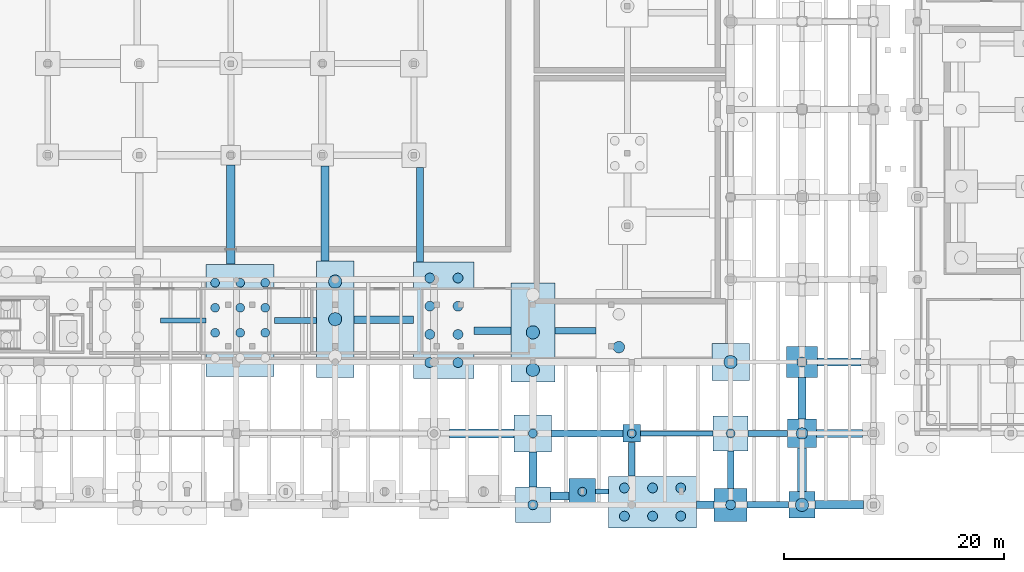
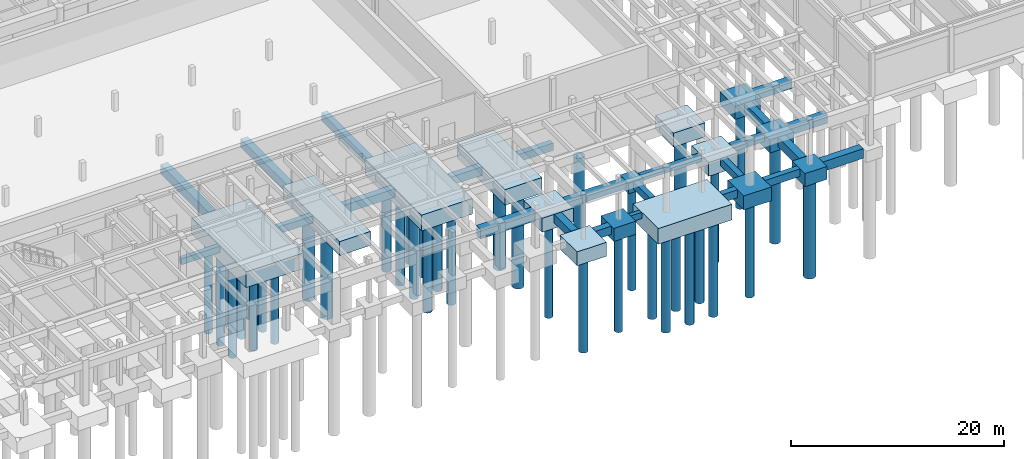
# One storey, part 4 of 36: 39 footings, 38 piles.
"""IFC4 building model written with IfcOpenShell, lengths in metres."""

from ifc_helpers import new_model, si_unit, direction, frame, origin, origin_2d, place, context, subcontext, project, spatial, polyline, circle, outline, extrude, material, material_profile, profile_set, type_object, element, save


model = new_model("IFC4")

# Units and contexts
model_context = context("Model", 3, precision=1e-05, world=origin(), true_north=direction((0.0, 1.0)))
body_context = subcontext(model_context, "Body", "Model", "MODEL_VIEW")
ifc_project = project(units=[si_unit("LENGTHUNIT", "METRE"), si_unit("AREAUNIT", "SQUARE_METRE"), si_unit("VOLUMEUNIT", "CUBIC_METRE"), si_unit("PLANEANGLEUNIT", "RADIAN"), si_unit("MASSUNIT", "GRAM", prefix="KILO"), si_unit("THERMODYNAMICTEMPERATUREUNIT", "KELVIN"), si_unit("POWERUNIT", "WATT")], contexts=[model_context])

# Site, building, storey
site_placement = place(None, origin())
site = spatial("IfcSite", under=ifc_project, at=site_placement, CompositionType="ELEMENT")
building_placement = place(site_placement, origin())
building = spatial("IfcBuilding", under=site, at=building_placement, Name="Tepalcoro Natatorium and Aquatics Centre", CompositionType="ELEMENT")
storey_placement = place(building_placement, frame((0.0, 0.0, -5.199951171875)))
storey = spatial("IfcBuildingStorey", under=building, at=storey_placement, Name="B1", CompositionType="ELEMENT", Elevation=-5.199951171875)

# Footings
ifc_material = material(Name="Concrete C40/50 (fc 40 MPa)", Category="concrete")
footing_type_1 = type_object("IfcFootingType", Name="FB_450x700", PredefinedType="FOOTING_BEAM", material=ifc_material)
footing_1_placement = place(storey_placement, frame((0.0, 0.0, -1.199951171875)))
element("IfcFooting", 1, at=footing_1_placement, inside=storey, type_object=footing_type_1, Name="V1 B1 Foundation Tie Beam X", PredefinedType="FOOTING_BEAM", context=body_context, shape_type="SweptSolid", body=[
    extrude(outline(polyline([(73.10498046875, 16.574951171875), (77.2451171875, 16.574951171875), (77.2451171875, 17.02490234375), (73.10498046875, 17.02490234375), (73.10498046875, 16.574951171875)])), origin(), (0.0, 0.0, 1.0), 0.699951171875),
])
footing_2_placement = place(storey_placement, frame((0.0, 0.0, -0.699951171875)))
element("IfcFooting", 2, at=footing_2_placement, inside=storey, type_object=footing_type_1, Name="V1 B1 Foundation Tie Beam X", PredefinedType="FOOTING_BEAM", context=body_context, shape_type="SweptSolid", body=[
    extrude(outline(polyline([(112.705078125, 0.97509765625), (113.89501953125, 0.97509765625), (113.89501953125, 1.425048828125), (112.705078125, 1.425048828125), (112.705078125, 0.97509765625)])), origin(), (0.0, 0.0, 1.0), 0.699951171875),
])
footing_3_placement = place(storey_placement, frame((0.0, 0.0, -0.699951171875)))
element("IfcFooting", 3, at=footing_3_placement, inside=storey, type_object=footing_type_1, Name="V1 B1 Foundation Tie Beam X", PredefinedType="FOOTING_BEAM", context=body_context, shape_type="SweptSolid", body=[
    extrude(outline(polyline([(116.804931640625, 6.27490234375), (123.39501953125, 6.27490234375), (123.39501953125, 6.72509765625), (116.804931640625, 6.72509765625), (116.804931640625, 6.27490234375)])), origin(), (0.0, 0.0, 1.0), 0.699951171875),
])
footing_type_2 = type_object("IfcFootingType", Name="FB_550x800", PredefinedType="FOOTING_BEAM", material=ifc_material)
footing_4_placement = place(storey_placement, frame((0.0, 0.0, -1.300048828125)))
element("IfcFooting", 4, at=footing_4_placement, inside=storey, type_object=footing_type_2, Name="V1 B1 Foundation Tie Beam X", PredefinedType="FOOTING_BEAM", context=body_context, shape_type="SweptSolid", body=[
    extrude(outline(polyline([(83.455078125, 16.52490234375), (87.294921875, 16.52490234375), (87.294921875, 17.074951171875), (83.455078125, 17.074951171875), (83.455078125, 16.52490234375)])), origin(), (0.0, 0.0, 1.0), 0.800048828125),
])
footing_5_placement = place(storey_placement, frame((0.0, 0.0, -0.800048828125)))
element("IfcFooting", 5, at=footing_5_placement, inside=storey, type_object=footing_type_2, Name="V1 B1 Foundation Tie Beam X", PredefinedType="FOOTING_BEAM", context=body_context, shape_type="SweptSolid", body=[
    extrude(outline(polyline([(126.60498046875, 6.22509765625), (130.195068359375, 6.22509765625), (130.195068359375, 6.77490234375), (126.60498046875, 6.77490234375), (126.60498046875, 6.22509765625)])), origin(), (0.0, 0.0, 1.0), 0.800048828125),
])
footing_type_3 = type_object("IfcFootingType", Name="FB_600x850", PredefinedType="FOOTING_BEAM", material=ifc_material)
footing_6_placement = place(storey_placement, frame((0.0, 0.0, -1.35009765625)))
element("IfcFooting", 6, at=footing_6_placement, inside=storey, type_object=footing_type_3, Name="V1 B1 Foundation Tie Beam X", PredefinedType="FOOTING_BEAM", context=body_context, shape_type="SweptSolid", body=[
    extrude(outline(polyline([(109.0048828125, 15.550048828125), (112.7451171875, 15.550048828125), (112.7451171875, 16.14990234375), (109.0048828125, 16.14990234375), (109.0048828125, 15.550048828125)])), origin(), (0.0, 0.0, 1.0), 0.85009765625),
])
footing_7_placement = place(storey_placement, frame((0.0, 0.0, -0.85009765625)))
element("IfcFooting", 7, at=footing_7_placement, inside=storey, type_object=footing_type_3, Name="V1 B1 Foundation Tie Beam X", PredefinedType="FOOTING_BEAM", context=body_context, shape_type="SweptSolid", body=[
    extrude(outline(polyline([(126.5048828125, -0.300048828125), (130.294921875, -0.300048828125), (130.294921875, 0.300048828125), (126.5048828125, 0.300048828125), (126.5048828125, -0.300048828125)])), origin(), (0.0, 0.0, 1.0), 0.85009765625),
])
footing_8_placement = place(storey_placement, frame((0.0, 0.0, -0.85009765625)))
element("IfcFooting", 8, at=footing_8_placement, inside=storey, type_object=footing_type_3, Name="V1 B1 Foundation Tie Beam Y", PredefinedType="FOOTING_BEAM", context=body_context, shape_type="SweptSolid", body=[
    extrude(outline(polyline([(116.300048828125, 2.60498046875), (116.300048828125, 5.695068359375), (115.699951171875, 5.695068359375), (115.699951171875, 2.60498046875), (116.300048828125, 2.60498046875)])), origin(), (0.0, 0.0, 1.0), 0.85009765625),
])
footing_9_placement = place(storey_placement, frame((0.0, 0.0, -0.85009765625)))
element("IfcFooting", 9, at=footing_9_placement, inside=storey, type_object=footing_type_3, Name="V1 B1 Foundation Tie Beam Y", PredefinedType="FOOTING_BEAM", context=body_context, shape_type="SweptSolid", body=[
    extrude(outline(polyline([(125.300048828125, 1.5048828125), (125.300048828125, 4.89501953125), (124.699951171875, 4.89501953125), (124.699951171875, 1.5048828125), (125.300048828125, 1.5048828125)])), origin(), (0.0, 0.0, 1.0), 0.85009765625),
])
footing_type_4 = type_object("IfcFootingType", Name="FB_650x900", PredefinedType="FOOTING_BEAM", material=ifc_material)
footing_10_placement = place(storey_placement, frame((0.0, 0.0, -0.900146484375)))
element("IfcFooting", 10, at=footing_10_placement, inside=storey, type_object=footing_type_4, Name="V1 B1 Foundation Tie Beam X", PredefinedType="FOOTING_BEAM", context=body_context, shape_type="SweptSolid", body=[
    extrude(outline(polyline([(108.705078125, 6.175048828125), (115.195068359375, 6.175048828125), (115.195068359375, 6.824951171875), (108.705078125, 6.824951171875), (108.705078125, 6.175048828125)])), origin(), (0.0, 0.0, 1.0), 0.900146484375),
])
footing_11_placement = place(storey_placement, frame((0.0, 0.0, -0.900146484375)))
element("IfcFooting", 11, at=footing_11_placement, inside=storey, type_object=footing_type_4, Name="V1 B1 Foundation Tie Beam X", PredefinedType="FOOTING_BEAM", context=body_context, shape_type="SweptSolid", body=[
    extrude(outline(polyline([(121.905029296875, -0.324951171875), (123.4951171875, -0.324951171875), (123.4951171875, 0.324951171875), (121.905029296875, 0.324951171875), (121.905029296875, -0.324951171875)])), origin(), (0.0, 0.0, 1.0), 0.900146484375),
])
footing_12_placement = place(storey_placement, frame((0.0, 0.0, -1.400146484375)))
element("IfcFooting", 12, at=footing_12_placement, inside=storey, type_object=footing_type_4, Name="V1 B1 Foundation Tie Beam Y", PredefinedType="FOOTING_BEAM", context=body_context, shape_type="SweptSolid", body=[
    extrude(outline(polyline([(97.033447265625, 22.10498046875), (97.033447265625, 30.72802734375), (96.383544921875, 30.72802734375), (96.383544921875, 22.10498046875), (97.033447265625, 22.10498046875)])), origin(), (0.0, 0.0, 1.0), 0.900146484375),
])
footing_type_5 = type_object("IfcFootingType", Name="FB_700x950", PredefinedType="FOOTING_BEAM", material=ifc_material)
footing_13_placement = place(storey_placement, frame((0.0, 0.0, -1.449951171875)))
element("IfcFooting", 13, at=footing_13_placement, inside=storey, type_object=footing_type_5, Name="V1 B1 Foundation Tie Beam X", PredefinedType="FOOTING_BEAM", context=body_context, shape_type="SweptSolid", body=[
    extrude(outline(polyline([(90.705078125, 16.5), (96.14501953125, 16.5), (96.14501953125, 17.199951171875), (90.705078125, 17.199951171875), (90.705078125, 16.5)])), origin(), (0.0, 0.0, 1.0), 0.949951171875),
])
footing_14_placement = place(storey_placement, frame((0.0, 0.0, -1.449951171875)))
element("IfcFooting", 14, at=footing_14_placement, inside=storey, type_object=footing_type_5, Name="V1 B1 Foundation Tie Beam X", PredefinedType="FOOTING_BEAM", context=body_context, shape_type="SweptSolid", body=[
    extrude(outline(polyline([(101.655029296875, 15.5), (104.9951171875, 15.5), (104.9951171875, 16.199951171875), (101.655029296875, 16.199951171875), (101.655029296875, 15.5)])), origin(), (0.0, 0.0, 1.0), 0.949951171875),
])
footing_15_placement = place(storey_placement, frame((0.0, 0.0, -0.949951171875)))
element("IfcFooting", 15, at=footing_15_placement, inside=storey, type_object=footing_type_5, Name="V1 B1 Foundation Tie Beam X", PredefinedType="FOOTING_BEAM", context=body_context, shape_type="SweptSolid", body=[
    extrude(outline(polyline([(108.60498046875, 0.449951171875), (110.294921875, 0.449951171875), (110.294921875, 1.14990234375), (108.60498046875, 1.14990234375), (108.60498046875, 0.449951171875)])), origin(), (0.0, 0.0, 1.0), 0.949951171875),
])
footing_16_placement = place(storey_placement, frame((0.0, 0.0, -0.949951171875)))
element("IfcFooting", 16, at=footing_16_placement, inside=storey, type_object=footing_type_5, Name="V1 B1 Foundation Tie Beam X", PredefinedType="FOOTING_BEAM", context=body_context, shape_type="SweptSolid", body=[
    extrude(outline(polyline([(132.905029296875, 12.64990234375), (136.89501953125, 12.64990234375), (136.89501953125, 13.35009765625), (132.905029296875, 13.35009765625), (132.905029296875, 12.64990234375)])), origin(), (0.0, 0.0, 1.0), 0.949951171875),
])
footing_type_6 = type_object("IfcFootingType", Name="FB_750x1000", PredefinedType="FOOTING_BEAM", material=ifc_material)
footing_17_placement = place(storey_placement, frame((0.0, 0.0, -1.0)))
element("IfcFooting", 17, at=footing_17_placement, inside=storey, type_object=footing_type_6, Name="V1 B1 Foundation Tie Beam X", PredefinedType="FOOTING_BEAM", context=body_context, shape_type="SweptSolid", body=[
    extrude(outline(polyline([(132.804931640625, 6.125), (136.9951171875, 6.125), (136.9951171875, 6.875), (132.804931640625, 6.875), (132.804931640625, 6.125)])), origin(), (0.0, 0.0, 1.0), 1.0),
])
footing_18_placement = place(storey_placement, frame((0.0, 0.0, -1.5)))
element("IfcFooting", 18, at=footing_18_placement, inside=storey, type_object=footing_type_6, Name="V1 B1 Foundation Tie Beam Y", PredefinedType="FOOTING_BEAM", context=body_context, shape_type="SweptSolid", body=[
    extrude(outline(polyline([(88.44140625, 22.205078125), (88.44140625, 30.827880859375), (87.69140625, 30.827880859375), (87.69140625, 22.205078125), (88.44140625, 22.205078125)])), origin(), (0.0, 0.0, 1.0), 1.0),
])
footing_19_placement = place(storey_placement, frame((0.0, 0.0, -1.0)))
element("IfcFooting", 19, at=footing_19_placement, inside=storey, type_object=footing_type_6, Name="V1 B1 Foundation Tie Beam Y", PredefinedType="FOOTING_BEAM", context=body_context, shape_type="SweptSolid", body=[
    extrude(outline(polyline([(107.375, 1.60498046875), (107.375, 4.794921875), (106.625, 4.794921875), (106.625, 1.60498046875), (107.375, 1.60498046875)])), origin(), (0.0, 0.0, 1.0), 1.0),
])
footing_20_placement = place(storey_placement, frame((0.0, 0.0, -1.0)))
element("IfcFooting", 20, at=footing_20_placement, inside=storey, type_object=footing_type_6, Name="V1 B1 Foundation Tie Beam Y", PredefinedType="FOOTING_BEAM", context=body_context, shape_type="SweptSolid", body=[
    extrude(outline(polyline([(131.875, 7.804931640625), (131.875, 11.594970703125), (131.125, 11.594970703125), (131.125, 7.804931640625), (131.875, 7.804931640625)])), origin(), (0.0, 0.0, 1.0), 1.0),
])
footing_type_7 = type_object("IfcFootingType", Name="FB_800x1100", PredefinedType="FOOTING_BEAM", material=ifc_material)
footing_21_placement = place(storey_placement, frame((0.0, 0.0, -1.10009765625)))
element("IfcFooting", 21, at=footing_21_placement, inside=storey, type_object=footing_type_7, Name="V1 B1 Foundation Tie Beam X", PredefinedType="FOOTING_BEAM", context=body_context, shape_type="SweptSolid", body=[
    extrude(outline(polyline([(99.405029296875, 6.10009765625), (105.294921875, 6.10009765625), (105.294921875, 6.89990234375), (99.405029296875, 6.89990234375), (99.405029296875, 6.10009765625)])), origin(), (0.0, 0.0, 1.0), 1.10009765625),
])
footing_22_placement = place(storey_placement, frame((0.0, 0.0, -1.10009765625)))
element("IfcFooting", 22, at=footing_22_placement, inside=storey, type_object=footing_type_7, Name="V1 B1 Foundation Tie Beam X", PredefinedType="FOOTING_BEAM", context=body_context, shape_type="SweptSolid", body=[
    extrude(outline(polyline([(132.705078125, -0.39990234375), (137.094970703125, -0.39990234375), (137.094970703125, 0.39990234375), (132.705078125, 0.39990234375), (132.705078125, -0.39990234375)])), origin(), (0.0, 0.0, 1.0), 1.10009765625),
])
footing_23_placement = place(storey_placement, frame((0.0, 0.0, -1.60009765625)))
element("IfcFooting", 23, at=footing_23_placement, inside=storey, type_object=footing_type_7, Name="V1 B1 Foundation Tie Beam Y", PredefinedType="FOOTING_BEAM", context=body_context, shape_type="SweptSolid", body=[
    extrude(outline(polyline([(79.89990234375, 21.905029296875), (79.89990234375, 30.927978515625), (79.10009765625, 30.927978515625), (79.10009765625, 21.905029296875), (79.89990234375, 21.905029296875)])), origin(), (0.0, 0.0, 1.0), 1.10009765625),
])
footing_24_placement = place(storey_placement, frame((0.0, 0.0, -1.10009765625)))
element("IfcFooting", 24, at=footing_24_placement, inside=storey, type_object=footing_type_7, Name="V1 B1 Foundation Tie Beam Y", PredefinedType="FOOTING_BEAM", context=body_context, shape_type="SweptSolid", body=[
    extrude(outline(polyline([(131.89990234375, 1.205078125), (131.89990234375, 5.195068359375), (131.10009765625, 5.195068359375), (131.10009765625, 1.205078125), (131.89990234375, 1.205078125)])), origin(), (0.0, 0.0, 1.0), 1.10009765625),
])
footing_type_8 = type_object("IfcFootingType", Name="PC_1600x1600x1200", PredefinedType="PILE_CAP", material=ifc_material)
footing_25_placement = place(storey_placement, frame((0.0, 0.0, -1.199951171875)))
element("IfcFooting", 25, at=footing_25_placement, inside=storey, type_object=footing_type_8, Name="V1 Reinforced Concrete Pile Cap 94", PredefinedType="PILE_CAP", context=body_context, shape_type="SweptSolid", body=[
    extrude(outline(polyline([(115.199951171875, 5.699951171875), (116.800048828125, 5.699951171875), (116.800048828125, 7.300048828125), (115.199951171875, 7.300048828125), (115.199951171875, 5.699951171875)])), origin(), (0.0, 0.0, 1.0), 1.199951171875),
])
footing_type_9 = type_object("IfcFootingType", Name="PC_2400x2400x1500", PredefinedType="PILE_CAP", material=ifc_material)
footing_26_placement = place(storey_placement, frame((0.0, 0.0, -1.5)))
element("IfcFooting", 26, at=footing_26_placement, inside=storey, type_object=footing_type_9, Name="V1 Reinforced Concrete Pile Cap 85", PredefinedType="PILE_CAP", context=body_context, shape_type="SweptSolid", body=[
    extrude(outline(polyline([(110.300048828125, 0.0), (112.699951171875, 0.0), (112.699951171875, 2.39990234375), (110.300048828125, 2.39990234375), (110.300048828125, 0.0)])), origin(), (0.0, 0.0, 1.0), 1.5),
])
footing_27_placement = place(storey_placement, frame((0.0, 0.0, -1.5)))
element("IfcFooting", 27, at=footing_27_placement, inside=storey, type_object=footing_type_9, Name="V1 Reinforced Concrete Pile Cap 116", PredefinedType="PILE_CAP", context=body_context, shape_type="SweptSolid", body=[
    extrude(outline(polyline([(130.300048828125, -1.199951171875), (132.699951171875, -1.199951171875), (132.699951171875, 1.199951171875), (130.300048828125, 1.199951171875), (130.300048828125, -1.199951171875)])), origin(), (0.0, 0.0, 1.0), 1.5),
])
footing_type_10 = type_object("IfcFootingType", Name="PC_2600x2600x1500", PredefinedType="PILE_CAP", material=ifc_material)
footing_28_placement = place(storey_placement, frame((0.0, 0.0, -1.5)))
element("IfcFooting", 28, at=footing_28_placement, inside=storey, type_object=footing_type_10, Name="V1 Reinforced Concrete Pile Cap 115", PredefinedType="PILE_CAP", context=body_context, shape_type="SweptSolid", body=[
    extrude(outline(polyline([(130.199951171875, 5.199951171875), (132.800048828125, 5.199951171875), (132.800048828125, 7.800048828125), (130.199951171875, 7.800048828125), (130.199951171875, 5.199951171875)])), origin(), (0.0, 0.0, 1.0), 1.5),
])
footing_type_11 = type_object("IfcFootingType", Name="PC_2800x2800x1500", PredefinedType="PILE_CAP", material=ifc_material)
footing_29_placement = place(storey_placement, frame((0.0, 0.0, -1.5)))
element("IfcFooting", 29, at=footing_29_placement, inside=storey, type_object=footing_type_11, Name="V1 Reinforced Concrete Pile Cap 114", PredefinedType="PILE_CAP", context=body_context, shape_type="SweptSolid", body=[
    extrude(outline(polyline([(130.10009765625, 11.60009765625), (132.89990234375, 11.60009765625), (132.89990234375, 14.39990234375), (130.10009765625, 14.39990234375), (130.10009765625, 11.60009765625)])), origin(), (0.0, 0.0, 1.0), 1.5),
])
footing_type_12 = type_object("IfcFootingType", Name="PC_3000x3000x1600", PredefinedType="PILE_CAP", material=ifc_material)
footing_30_placement = place(storey_placement, frame((0.0, 0.0, -2.10009765625)))
element("IfcFooting", 30, at=footing_30_placement, inside=storey, type_object=footing_type_12, Name="V1 Reinforced Concrete Pile Cap 64", PredefinedType="PILE_CAP", context=body_context, shape_type="SweptSolid", body=[
    extrude(outline(polyline([(87.300048828125, 11.60009765625), (90.699951171875, 11.60009765625), (90.699951171875, 22.199951171875), (87.300048828125, 22.199951171875), (87.300048828125, 11.60009765625)])), origin(), (0.0, 0.0, 1.0), 1.60009765625),
])
footing_31_placement = place(storey_placement, frame((0.0, 0.0, -1.60009765625)))
element("IfcFooting", 31, at=footing_31_placement, inside=storey, type_object=footing_type_12, Name="V1 Reinforced Concrete Pile Cap 102", PredefinedType="PILE_CAP", context=body_context, shape_type="SweptSolid", body=[
    extrude(outline(polyline([(123.5, -1.5), (126.5, -1.5), (126.5, 1.5), (123.5, 1.5), (123.5, -1.5)])), origin(), (0.0, 0.0, 1.0), 1.60009765625),
])
footing_type_13 = type_object("IfcFootingType", Name="PC_3200x3200x1600", PredefinedType="PILE_CAP", material=ifc_material)
footing_32_placement = place(storey_placement, frame((0.0, 0.0, -1.60009765625)))
element("IfcFooting", 32, at=footing_32_placement, inside=storey, type_object=footing_type_13, Name="V1 Reinforced Concrete Pile Cap 82", PredefinedType="PILE_CAP", context=body_context, shape_type="SweptSolid", body=[
    extrude(outline(polyline([(105.39990234375, -1.60009765625), (108.60009765625, -1.60009765625), (108.60009765625, 1.60009765625), (105.39990234375, 1.60009765625), (105.39990234375, -1.60009765625)])), origin(), (0.0, 0.0, 1.0), 1.60009765625),
])
footing_33_placement = place(storey_placement, frame((0.0, 0.0, -1.60009765625)))
element("IfcFooting", 33, at=footing_33_placement, inside=storey, type_object=footing_type_13, Name="V1 Reinforced Concrete Pile Cap 101", PredefinedType="PILE_CAP", context=body_context, shape_type="SweptSolid", body=[
    extrude(outline(polyline([(123.39990234375, 4.89990234375), (126.60009765625, 4.89990234375), (126.60009765625, 8.10009765625), (123.39990234375, 8.10009765625), (123.39990234375, 4.89990234375)])), origin(), (0.0, 0.0, 1.0), 1.60009765625),
])
footing_type_14 = type_object("IfcFootingType", Name="PC_3400x3400x1600", PredefinedType="PILE_CAP", material=ifc_material)
footing_34_placement = place(storey_placement, frame((0.0, 0.0, -1.60009765625)))
element("IfcFooting", 34, at=footing_34_placement, inside=storey, type_object=footing_type_14, Name="V1 Reinforced Concrete Pile Cap 81", PredefinedType="PILE_CAP", context=body_context, shape_type="SweptSolid", body=[
    extrude(outline(polyline([(105.300048828125, 4.800048828125), (108.699951171875, 4.800048828125), (108.699951171875, 8.199951171875), (105.300048828125, 8.199951171875), (105.300048828125, 4.800048828125)])), origin(), (0.0, 0.0, 1.0), 1.60009765625),
])
footing_35_placement = place(storey_placement, frame((0.0, 0.0, -2.10009765625)))
element("IfcFooting", 35, at=footing_35_placement, inside=storey, type_object=footing_type_14, Name="V1 Reinforced Concrete Pile Cap 100", PredefinedType="PILE_CAP", context=body_context, shape_type="SweptSolid", body=[
    extrude(outline(polyline([(123.300048828125, 11.300048828125), (126.699951171875, 11.300048828125), (126.699951171875, 14.699951171875), (123.300048828125, 14.699951171875), (123.300048828125, 11.300048828125)])), origin(), (0.0, 0.0, 1.0), 1.60009765625),
])
footing_type_15 = type_object("IfcFootingType", Name="PC_4000x4000x1800", PredefinedType="PILE_CAP", material=ifc_material)
footing_36_placement = place(storey_placement, frame((0.0, 0.0, -2.300048828125)))
element("IfcFooting", 36, at=footing_36_placement, inside=storey, type_object=footing_type_15, Name="V1 Reinforced Concrete Pile Cap 53", PredefinedType="PILE_CAP", context=body_context, shape_type="SweptSolid", body=[
    extrude(outline(polyline([(77.25, 11.699951171875), (83.449951171875, 11.699951171875), (83.449951171875, 21.89990234375), (77.25, 21.89990234375), (77.25, 11.699951171875)])), origin(), (0.0, 0.0, 1.0), 1.800048828125),
])
footing_37_placement = place(storey_placement, frame((0.0, 0.0, -2.300048828125)))
element("IfcFooting", 37, at=footing_37_placement, inside=storey, type_object=footing_type_15, Name="V1 Reinforced Concrete Pile Cap 80", PredefinedType="PILE_CAP", context=body_context, shape_type="SweptSolid", body=[
    extrude(outline(polyline([(105.0, 11.199951171875), (109.0, 11.199951171875), (109.0, 20.199951171875), (105.0, 20.199951171875), (105.0, 11.199951171875)])), origin(), (0.0, 0.0, 1.0), 1.800048828125),
])
footing_type_16 = type_object("IfcFootingType", Name="PC_4200x4200x1800", PredefinedType="PILE_CAP", material=ifc_material)
footing_38_placement = place(storey_placement, frame((0.0, 0.0, -2.300048828125)))
element("IfcFooting", 38, at=footing_38_placement, inside=storey, type_object=footing_type_16, Name="V1 Reinforced Concrete Pile Cap 74", PredefinedType="PILE_CAP", context=body_context, shape_type="SweptSolid", body=[
    extrude(outline(polyline([(96.14990234375, 11.5), (101.64990234375, 11.5), (101.64990234375, 22.10009765625), (96.14990234375, 22.10009765625), (96.14990234375, 11.5)])), origin(), (0.0, 0.0, 1.0), 1.800048828125),
])
footing_39_placement = place(storey_placement, frame((0.0, 0.0, -1.800048828125)))
element("IfcFooting", 39, at=footing_39_placement, inside=storey, type_object=footing_type_16, Name="V1 Reinforced Concrete Pile Cap 90", PredefinedType="PILE_CAP", context=body_context, shape_type="SweptSolid", body=[
    extrude(outline(polyline([(113.89990234375, -2.10009765625), (121.89990234375, -2.10009765625), (121.89990234375, 2.60009765625), (113.89990234375, 2.60009765625), (113.89990234375, -2.10009765625)])), origin(), (0.0, 0.0, 1.0), 1.800048828125),
])

# Piles
ifc_material_profile_1 = material_profile(ifc_material, circle(Radius=0.52490234375, at=origin_2d()), Name="PILE_D1050")
ifc_profile_set_1 = profile_set([ifc_material_profile_1], Name="Concrete C40/50 (fc 40 MPa)")
pile_type_1 = type_object("IfcPileType", Name="PILE_D1050", PredefinedType="BORED", material=ifc_profile_set_1)
pile_1_placement = place(storey_placement, frame((114.824951171875, 14.353759765625, -1.900146484375), z_axis=(0.0, 0.0, -1.0), x_axis=(1.0, 0.0, 0.0)))
element("IfcPile", 40, at=pile_1_placement, inside=storey, type_object=pile_type_1, Name="Bored Pile PILE_D1050 under PC_V1_0086", PredefinedType="BORED", context=body_context, shape_type="SweptSolid", body=[
    extrude(circle(Radius=0.52490234375, at=origin_2d()), origin(), (0.0, 0.0, 1.0), 10.89990234375),
])
pile_2_placement = place(storey_placement, frame((131.5, 6.5, -1.400146484375), z_axis=(0.0, 0.0, -1.0), x_axis=(1.0, 0.0, 0.0)))
element("IfcPile", 41, at=pile_2_placement, inside=storey, type_object=pile_type_1, Name="Bored Pile PILE_D1050 under PC_V1_0114", PredefinedType="BORED", context=body_context, shape_type="SweptSolid", body=[
    extrude(circle(Radius=0.52490234375, at=origin_2d()), origin(), (0.0, 0.0, 1.0), 11.39990234375),
])
ifc_material_profile_2 = material_profile(ifc_material, circle(Radius=0.60009765625, at=origin_2d()), Name="PILE_D1200")
ifc_profile_set_2 = profile_set([ifc_material_profile_2], Name="Concrete C40/50 (fc 40 MPa)")
pile_type_2 = type_object("IfcPileType", Name="PILE_D1200", PredefinedType="BORED", material=ifc_profile_set_2)
for number, where, z_axis, x_axis, name in (
    (42, (89.0, 16.89990234375, -2.0), (0.0, 0.0, -1.0), (1.0, 0.0, 0.0), "Bored Pile PILE_D1200 under PC_V1_0063"),
    (43, (89.0, 20.320068359375, -2.0), (0.0, 0.0, -1.0), (1.0, 0.0, 0.0), "Bored Pile PILE_D1200 under PC_V1_0063"),
):
    element("IfcPile", number, at=place(storey_placement, frame(where, z_axis=z_axis, x_axis=x_axis)), inside=storey, type_object=pile_type_2, Name=name, PredefinedType="BORED", context=body_context, shape_type="SweptSolid", body=[
        extrude(circle(Radius=0.60009765625, at=origin_2d()), origin(), (0.0, 0.0, 1.0), 10.800048828125),
    ])
for number, where, z_axis, x_axis, name in (
    (44, (107.0, 12.280029296875, -2.199951171875), (0.0, 0.0, -1.0), (1.0, 0.0, 0.0), "Bored Pile PILE_D1200 under PC_V1_0079"),
    (45, (107.0, 15.699951171875, -2.199951171875), (0.0, 0.0, -1.0), (1.0, 0.0, 0.0), "Bored Pile PILE_D1200 under PC_V1_0079"),
):
    element("IfcPile", number, at=place(storey_placement, frame(where, z_axis=z_axis, x_axis=x_axis)), inside=storey, type_object=pile_type_2, Name=name, PredefinedType="BORED", context=body_context, shape_type="SweptSolid", body=[
        extrude(circle(Radius=0.60009765625, at=origin_2d()), origin(), (0.0, 0.0, 1.0), 10.60009765625),
    ])
pile_3_placement = place(storey_placement, frame((125.0, 13.0, -2.0), z_axis=(0.0, 0.0, -1.0), x_axis=(1.0, 0.0, 0.0)))
element("IfcPile", 46, at=pile_3_placement, inside=storey, type_object=pile_type_2, Name="Bored Pile PILE_D1200 under PC_V1_0099", PredefinedType="BORED", context=body_context, shape_type="SweptSolid", body=[
    extrude(circle(Radius=0.60009765625, at=origin_2d()), origin(), (0.0, 0.0, 1.0), 10.800048828125),
])
pile_4_placement = place(storey_placement, frame((131.5, 0.0, -1.400146484375), z_axis=(0.0, 0.0, -1.0), x_axis=(1.0, 0.0, 0.0)))
element("IfcPile", 47, at=pile_4_placement, inside=storey, type_object=pile_type_2, Name="Bored Pile PILE_D1200 under PC_V1_0115", PredefinedType="BORED", context=body_context, shape_type="SweptSolid", body=[
    extrude(circle(Radius=0.60009765625, at=origin_2d()), origin(), (0.0, 0.0, 1.0), 11.39990234375),
])
ifc_material_profile_3 = material_profile(ifc_material, circle(Radius=0.39990234375, at=origin_2d()), Name="PILE_D800")
ifc_profile_set_3 = profile_set([ifc_material_profile_3], Name="Concrete C40/50 (fc 40 MPa)")
pile_type_3 = type_object("IfcPileType", Name="PILE_D800", PredefinedType="BORED", material=ifc_profile_set_3)
for number, where, z_axis, x_axis, name in (
    (48, (78.070068359375, 15.659912109375, -2.199951171875), (0.0, 0.0, -1.0), (1.0, 0.0, 0.0), "Bored Pile PILE_D800 under PC_V1_0052"),
    (49, (78.070068359375, 17.93994140625, -2.199951171875), (0.0, 0.0, -1.0), (1.0, 0.0, 0.0), "Bored Pile PILE_D800 under PC_V1_0052"),
    (50, (78.070068359375, 20.219970703125, -2.199951171875), (0.0, 0.0, -1.0), (1.0, 0.0, 0.0), "Bored Pile PILE_D800 under PC_V1_0052"),
    (51, (80.35009765625, 15.659912109375, -2.199951171875), (0.0, 0.0, -1.0), (1.0, 0.0, 0.0), "Bored Pile PILE_D800 under PC_V1_0052"),
    (52, (80.35009765625, 17.93994140625, -2.199951171875), (0.0, 0.0, -1.0), (1.0, 0.0, 0.0), "Bored Pile PILE_D800 under PC_V1_0052"),
    (53, (80.35009765625, 20.219970703125, -2.199951171875), (0.0, 0.0, -1.0), (1.0, 0.0, 0.0), "Bored Pile PILE_D800 under PC_V1_0052"),
    (54, (82.6298828125, 15.659912109375, -2.199951171875), (0.0, 0.0, -1.0), (1.0, 0.0, 0.0), "Bored Pile PILE_D800 under PC_V1_0052"),
    (55, (82.6298828125, 17.93994140625, -2.199951171875), (0.0, 0.0, -1.0), (1.0, 0.0, 0.0), "Bored Pile PILE_D800 under PC_V1_0052"),
    (56, (82.6298828125, 20.219970703125, -2.199951171875), (0.0, 0.0, -1.0), (1.0, 0.0, 0.0), "Bored Pile PILE_D800 under PC_V1_0052"),
):
    element("IfcPile", number, at=place(storey_placement, frame(where, z_axis=z_axis, x_axis=x_axis)), inside=storey, type_object=pile_type_3, Name=name, PredefinedType="BORED", context=body_context, shape_type="SweptSolid", body=[
        extrude(circle(Radius=0.39990234375, at=origin_2d()), origin(), (0.0, 0.0, 1.0), 10.60009765625),
    ])
pile_5_placement = place(storey_placement, frame((107.0, 6.5, -1.5), z_axis=(0.0, 0.0, -1.0), x_axis=(1.0, 0.0, 0.0)))
element("IfcPile", 57, at=pile_5_placement, inside=storey, type_object=pile_type_3, Name="Bored Pile PILE_D800 under PC_V1_0080", PredefinedType="BORED", context=body_context, shape_type="SweptSolid", body=[
    extrude(circle(Radius=0.39990234375, at=origin_2d()), origin(), (0.0, 0.0, 1.0), 11.300048828125),
])
pile_6_placement = place(storey_placement, frame((111.5, 1.199951171875, -1.400146484375), z_axis=(0.0, 0.0, -1.0), x_axis=(1.0, 0.0, 0.0)))
element("IfcPile", 58, at=pile_6_placement, inside=storey, type_object=pile_type_3, Name="Bored Pile PILE_D800 under PC_V1_0084", PredefinedType="BORED", context=body_context, shape_type="SweptSolid", body=[
    extrude(circle(Radius=0.39990234375, at=origin_2d()), origin(), (0.0, 0.0, 1.0), 11.39990234375),
])
pile_7_placement = place(storey_placement, frame((116.0, 6.5, -1.10009765625), z_axis=(0.0, 0.0, -1.0), x_axis=(1.0, 0.0, 0.0)))
element("IfcPile", 59, at=pile_7_placement, inside=storey, type_object=pile_type_3, Name="Bored Pile PILE_D800 under PC_V1_0093", PredefinedType="BORED", context=body_context, shape_type="SweptSolid", body=[
    extrude(circle(Radius=0.39990234375, at=origin_2d()), origin(), (0.0, 0.0, 1.0), 11.699951171875),
])
pile_8_placement = place(storey_placement, frame((125.0, 6.5, -1.5), z_axis=(0.0, 0.0, -1.0), x_axis=(1.0, 0.0, 0.0)))
element("IfcPile", 60, at=pile_8_placement, inside=storey, type_object=pile_type_3, Name="Bored Pile PILE_D800 under PC_V1_0100", PredefinedType="BORED", context=body_context, shape_type="SweptSolid", body=[
    extrude(circle(Radius=0.39990234375, at=origin_2d()), origin(), (0.0, 0.0, 1.0), 11.300048828125),
])
ifc_material_profile_4 = material_profile(ifc_material, circle(Radius=0.449951171875, at=origin_2d()), Name="PILE_D900")
ifc_profile_set_4 = profile_set([ifc_material_profile_4], Name="Concrete C40/50 (fc 40 MPa)")
pile_type_4 = type_object("IfcPileType", Name="PILE_D900", PredefinedType="BORED", material=ifc_profile_set_4)
for number, where, z_axis, x_axis, name in (
    (61, (97.617431640625, 12.952392578125, -2.199951171875), (0.0, 0.0, -1.0), (1.0, 0.0, 0.0), "Bored Pile PILE_D900 under PC_V1_0073"),
    (62, (97.617431640625, 15.517578125, -2.199951171875), (0.0, 0.0, -1.0), (1.0, 0.0, 0.0), "Bored Pile PILE_D900 under PC_V1_0073"),
    (63, (97.617431640625, 18.08251953125, -2.199951171875), (0.0, 0.0, -1.0), (1.0, 0.0, 0.0), "Bored Pile PILE_D900 under PC_V1_0073"),
    (64, (97.617431640625, 20.6474609375, -2.199951171875), (0.0, 0.0, -1.0), (1.0, 0.0, 0.0), "Bored Pile PILE_D900 under PC_V1_0073"),
    (65, (100.1826171875, 12.952392578125, -2.199951171875), (0.0, 0.0, -1.0), (1.0, 0.0, 0.0), "Bored Pile PILE_D900 under PC_V1_0073"),
    (66, (100.1826171875, 15.517578125, -2.199951171875), (0.0, 0.0, -1.0), (1.0, 0.0, 0.0), "Bored Pile PILE_D900 under PC_V1_0073"),
    (67, (100.1826171875, 18.08251953125, -2.199951171875), (0.0, 0.0, -1.0), (1.0, 0.0, 0.0), "Bored Pile PILE_D900 under PC_V1_0073"),
    (68, (100.1826171875, 20.6474609375, -2.199951171875), (0.0, 0.0, -1.0), (1.0, 0.0, 0.0), "Bored Pile PILE_D900 under PC_V1_0073"),
):
    element("IfcPile", number, at=place(storey_placement, frame(where, z_axis=z_axis, x_axis=x_axis)), inside=storey, type_object=pile_type_4, Name=name, PredefinedType="BORED", context=body_context, shape_type="SweptSolid", body=[
        extrude(circle(Radius=0.449951171875, at=origin_2d()), origin(), (0.0, 0.0, 1.0), 10.60009765625),
    ])
pile_9_placement = place(storey_placement, frame((107.0, 0.0, -1.5), z_axis=(0.0, 0.0, -1.0), x_axis=(1.0, 0.0, 0.0)))
element("IfcPile", 69, at=pile_9_placement, inside=storey, type_object=pile_type_4, Name="Bored Pile PILE_D900 under PC_V1_0081", PredefinedType="BORED", context=body_context, shape_type="SweptSolid", body=[
    extrude(circle(Radius=0.449951171875, at=origin_2d()), origin(), (0.0, 0.0, 1.0), 11.300048828125),
])
for number, where, z_axis, x_axis, name in (
    (70, (115.3349609375, -1.032470703125, -1.699951171875), (0.0, 0.0, -1.0), (1.0, 0.0, 0.0), "Bored Pile PILE_D900 under PC_V1_0089"),
    (71, (115.3349609375, 1.532470703125, -1.699951171875), (0.0, 0.0, -1.0), (1.0, 0.0, 0.0), "Bored Pile PILE_D900 under PC_V1_0089"),
    (72, (117.89990234375, -1.032470703125, -1.699951171875), (0.0, 0.0, -1.0), (1.0, 0.0, 0.0), "Bored Pile PILE_D900 under PC_V1_0089"),
    (73, (117.89990234375, 1.532470703125, -1.699951171875), (0.0, 0.0, -1.0), (1.0, 0.0, 0.0), "Bored Pile PILE_D900 under PC_V1_0089"),
    (74, (120.465087890625, -1.032470703125, -1.699951171875), (0.0, 0.0, -1.0), (1.0, 0.0, 0.0), "Bored Pile PILE_D900 under PC_V1_0089"),
    (75, (120.465087890625, 1.532470703125, -1.699951171875), (0.0, 0.0, -1.0), (1.0, 0.0, 0.0), "Bored Pile PILE_D900 under PC_V1_0089"),
):
    element("IfcPile", number, at=place(storey_placement, frame(where, z_axis=z_axis, x_axis=x_axis)), inside=storey, type_object=pile_type_4, Name=name, PredefinedType="BORED", context=body_context, shape_type="SweptSolid", body=[
        extrude(circle(Radius=0.449951171875, at=origin_2d()), origin(), (0.0, 0.0, 1.0), 11.10009765625),
    ])
pile_10_placement = place(storey_placement, frame((125.0, 0.0, -1.5), z_axis=(0.0, 0.0, -1.0), x_axis=(1.0, 0.0, 0.0)))
element("IfcPile", 76, at=pile_10_placement, inside=storey, type_object=pile_type_4, Name="Bored Pile PILE_D900 under PC_V1_0101", PredefinedType="BORED", context=body_context, shape_type="SweptSolid", body=[
    extrude(circle(Radius=0.449951171875, at=origin_2d()), origin(), (0.0, 0.0, 1.0), 11.300048828125),
])
pile_11_placement = place(storey_placement, frame((131.5, 13.0, -1.400146484375), z_axis=(0.0, 0.0, -1.0), x_axis=(1.0, 0.0, 0.0)))
element("IfcPile", 77, at=pile_11_placement, inside=storey, type_object=pile_type_4, Name="Bored Pile PILE_D900 under PC_V1_0113", PredefinedType="BORED", context=body_context, shape_type="SweptSolid", body=[
    extrude(circle(Radius=0.449951171875, at=origin_2d()), origin(), (0.0, 0.0, 1.0), 11.39990234375),
])

save(model, "model.ifc")
